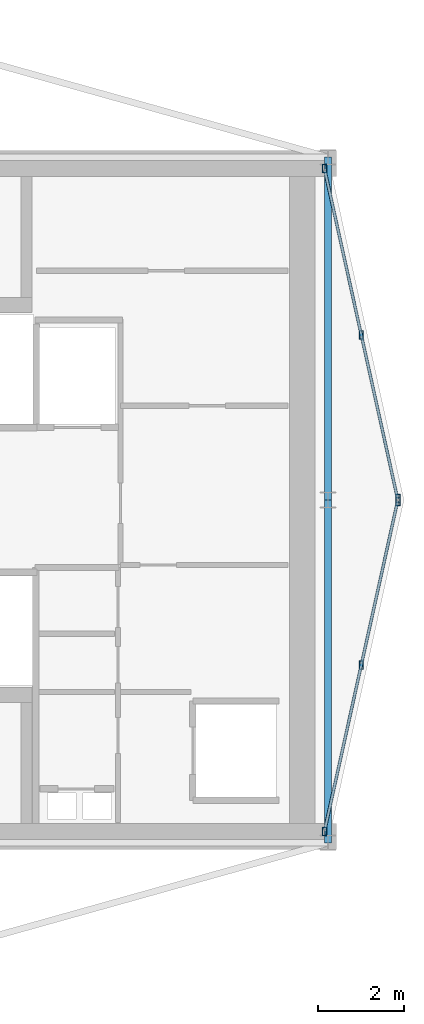
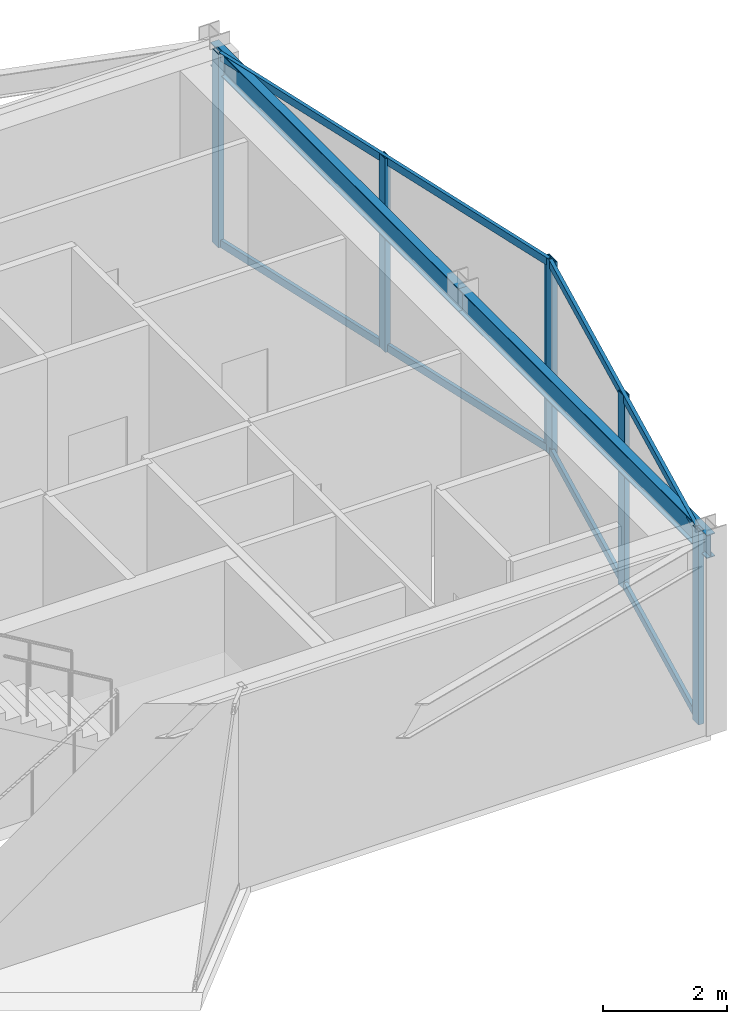
# One storey, part 7 of 13: 10 members, 2 beams, 2 elements without a shape of their own.
"""IFC4 building model written with IfcOpenShell, lengths in metres."""

from ifc_helpers import new_model, si_unit, direction, frame, origin, origin_2d, place, context, subcontext, project, spatial, hollow_rectangle, i_section, extrude, material, layer, layer_set, material_profile, profile_set, type_object, element, aggregate, save


model = new_model("IFC4")

# Units and contexts
model_context = context("Model", 3, precision=1e-05, world=origin(), true_north=direction((0.0, 1.0)))
body_context = subcontext(model_context, "Body", "Model", "MODEL_VIEW")
ifc_project = project(units=[si_unit("LENGTHUNIT", "METRE"), si_unit("AREAUNIT", "SQUARE_METRE"), si_unit("VOLUMEUNIT", "CUBIC_METRE"), si_unit("PLANEANGLEUNIT", "RADIAN"), si_unit("MASSUNIT", "GRAM", prefix="KILO")], contexts=[model_context])

# Site, building, storey
site_placement = place(None, origin())
site = spatial("IfcSite", under=ifc_project, at=site_placement, CompositionType="ELEMENT")
building_placement = place(site_placement, origin())
building = spatial("IfcBuilding", under=site, at=building_placement, Name="Veymaron Broadcast Tower", CompositionType="ELEMENT")
storey_placement = place(building_placement, frame((0.0, 0.0, 291.14990234375)))
storey = spatial("IfcBuildingStorey", under=building, at=storey_placement, Name="L68", CompositionType="ELEMENT", Elevation=291.14990234375)

# Beams
ifc_material_1 = material(Name="Structural steel ASTM A992 Gr 50", Category="steel")
ifc_material_profile_1 = material_profile(ifc_material_1, i_section(OverallWidth=0.154052734375, OverallDepth=0.458984375, WebThickness=0.009033203125, FlangeThickness=0.015380859375, at=origin_2d()), Name="W460X68")
ifc_profile_set_1 = profile_set([ifc_material_profile_1], Name="Structural steel ASTM A992 Gr 50")
beam_type = type_object("IfcBeamType", Name="BM-SP2", PredefinedType="SPANDREL", material=ifc_profile_set_1)
for number, where, z_axis, x_axis, name in (
    (1, (54.60009765625, 16.0, 3.58056640625), (0.0, 1.0, 0.0), (-1.0, 0.0, 0.0), "L68 primary structural floor girder"),
    (2, (54.60009765625, 24.0, 3.58056640625), (0.0, 1.0, 0.0), (-1.0, 0.0, 0.0), "L68 primary structural floor girder"),
):
    element("IfcBeam", number, at=place(storey_placement, frame(where, z_axis=z_axis, x_axis=x_axis)), inside=storey, type_object=beam_type, Name=name, PredefinedType="SPANDREL", context=body_context, shape_type="SweptSolid", body=[
        extrude(i_section(OverallWidth=0.154052734375, OverallDepth=0.458984375, WebThickness=0.009033203125, FlangeThickness=0.015380859375, at=origin_2d()), origin(), (0.0, 0.0, 1.0), 8.0),
    ])

# Curtain wall, members
ifc_material_2 = material(Name="Anodised aluminium AA 6063-T6 and laminated low-E dark glass", Category="aluminium")
ifc_layer = layer(ifc_material_2, 0.179931640625)
ifc_layer_set = layer_set([ifc_layer], Name="Anodised aluminium AA 6063-T6 and laminated low-E dark glass")
curtain_wall_type = type_object("IfcCurtainWallType", Name="CW-SYS-06", PredefinedType="NOTDEFINED", material=ifc_layer_set)
curtain_wall_1_placement = place(storey_placement, origin())
curtain_wall_1 = element("IfcCurtainWall", 3, at=curtain_wall_1_placement, inside=storey, type_object=curtain_wall_type, Name="L68 dark-glass curtain wall CW-L68-E2-1", PredefinedType="NOTDEFINED")
ifc_material_3 = material(Name="Anodised aluminium AA 6063-T6", Category="aluminium")
ifc_material_profile_2 = material_profile(ifc_material_3, hollow_rectangle(XDim=0.10009765625, YDim=0.199951171875, WallThickness=0.010009765625, at=origin_2d()), Name="RHS200X100X10")
ifc_profile_set_2 = profile_set([ifc_material_profile_2], Name="Anodised aluminium AA 6063-T6")
member_type_1 = type_object("IfcMemberType", Name="CW-MUL-01", PredefinedType="MULLION", material=ifc_profile_set_2)
member_1_placement = place(storey_placement, frame((54.514892578125, 16.2626953125, 0.0), z_axis=(0.0, 0.0, 1.0), x_axis=(1.0, 0.0, 0.0)))
member_1 = element("IfcMember", 4, at=member_1_placement, type_object=member_type_1, Name="CW-L68-E2-1 mullion 0", PredefinedType="MULLION", context=body_context, shape_type="SweptSolid", body=[
    extrude(hollow_rectangle(XDim=0.10009765625, YDim=0.199951171875, WallThickness=0.010009765625, at=origin_2d()), origin(), (0.0, 0.0, 1.0), 3.81005859375),
])
member_2_placement = place(storey_placement, frame((55.375244140625, 20.146484375, 0.0), z_axis=(0.0, 0.0, 1.0), x_axis=(1.0, 0.0, 0.0)))
member_2 = element("IfcMember", 5, at=member_2_placement, type_object=member_type_1, Name="CW-L68-E2-1 mullion 1", PredefinedType="MULLION", context=body_context, shape_type="SweptSolid", body=[
    extrude(hollow_rectangle(XDim=0.10009765625, YDim=0.199951171875, WallThickness=0.010009765625, at=origin_2d()), origin(), (0.0, 0.0, 1.0), 3.81005859375),
])
member_3_placement = place(storey_placement, frame((56.235595703125, 24.0302734375, 0.0), z_axis=(0.0, 0.0, 1.0), x_axis=(1.0, 0.0, 0.0)))
member_3 = element("IfcMember", 6, at=member_3_placement, type_object=member_type_1, Name="CW-L68-E2-1 mullion 2", PredefinedType="MULLION", context=body_context, shape_type="SweptSolid", body=[
    extrude(hollow_rectangle(XDim=0.10009765625, YDim=0.199951171875, WallThickness=0.010009765625, at=origin_2d()), origin(), (0.0, 0.0, 1.0), 3.81005859375),
])

curtain_wall_2_placement = place(storey_placement, origin())
curtain_wall_2 = element("IfcCurtainWall", 7, at=curtain_wall_2_placement, inside=storey, type_object=curtain_wall_type, Name="L68 dark-glass curtain wall CW-L68-E3-1", PredefinedType="NOTDEFINED")
member_4_placement = place(storey_placement, frame((56.235595703125, 23.9697265625, 0.0), z_axis=(0.0, 0.0, 1.0), x_axis=(1.0, 0.0, 0.0)))
member_4 = element("IfcMember", 8, at=member_4_placement, type_object=member_type_1, Name="CW-L68-E3-1 mullion 0", PredefinedType="MULLION", context=body_context, shape_type="SweptSolid", body=[
    extrude(hollow_rectangle(XDim=0.10009765625, YDim=0.199951171875, WallThickness=0.010009765625, at=origin_2d()), origin(), (0.0, 0.0, 1.0), 3.81005859375),
])
member_5_placement = place(storey_placement, frame((55.375244140625, 27.853515625, 0.0), z_axis=(0.0, 0.0, 1.0), x_axis=(1.0, 0.0, 0.0)))
member_5 = element("IfcMember", 9, at=member_5_placement, type_object=member_type_1, Name="CW-L68-E3-1 mullion 1", PredefinedType="MULLION", context=body_context, shape_type="SweptSolid", body=[
    extrude(hollow_rectangle(XDim=0.10009765625, YDim=0.199951171875, WallThickness=0.010009765625, at=origin_2d()), origin(), (0.0, 0.0, 1.0), 3.81005859375),
])
member_6_placement = place(storey_placement, frame((54.514892578125, 31.7373046875, 0.0), z_axis=(0.0, 0.0, 1.0), x_axis=(1.0, 0.0, 0.0)))
member_6 = element("IfcMember", 10, at=member_6_placement, type_object=member_type_1, Name="CW-L68-E3-1 mullion 2", PredefinedType="MULLION", context=body_context, shape_type="SweptSolid", body=[
    extrude(hollow_rectangle(XDim=0.10009765625, YDim=0.199951171875, WallThickness=0.010009765625, at=origin_2d()), origin(), (0.0, 0.0, 1.0), 3.81005859375),
])

# Member
ifc_material_profile_3 = material_profile(ifc_material_3, hollow_rectangle(XDim=0.06494140625, YDim=0.14990234375, WallThickness=0.00390625, at=origin_2d()), Name="AL150X65X4")
ifc_profile_set_3 = profile_set([ifc_material_profile_3], Name="Anodised aluminium AA 6063-T6")
member_type_2 = type_object("IfcMemberType", Name="CW-TRN-01", PredefinedType="USERDEFINED", material=ifc_profile_set_3)
member_7_placement = place(storey_placement, frame((54.525634765625, 16.311279296875, 0.070068359375), z_axis=(0.216292064675, 0.976328706307, 0.0), x_axis=(-0.976328706307, 0.216292064675, 0.0)))
member_7 = element("IfcMember", 11, at=member_7_placement, type_object=member_type_2, Name="CW-L68-E2-1 transom B", ObjectType="TRANSOM", PredefinedType="USERDEFINED", context=body_context, shape_type="SweptSolid", body=[
    extrude(hollow_rectangle(XDim=0.06494140625, YDim=0.14990234375, WallThickness=0.00390625, at=origin_2d()), origin(), (0.0, 0.0, 1.0), 7.856201171875),
])

member_8_placement = place(storey_placement, frame((54.525634765625, 16.311279296875, 3.739990234375), z_axis=(0.216292064675, 0.976328706307, 0.0), x_axis=(-0.976328706307, 0.216292064675, 0.0)))
member_8 = element("IfcMember", 12, at=member_8_placement, type_object=member_type_2, Name="CW-L68-E2-1 transom T", ObjectType="TRANSOM", PredefinedType="USERDEFINED", context=body_context, shape_type="SweptSolid", body=[
    extrude(hollow_rectangle(XDim=0.06494140625, YDim=0.14990234375, WallThickness=0.00390625, at=origin_2d()), origin(), (0.0, 0.0, 1.0), 7.856201171875),
])

aggregate(curtain_wall_1, [member_1, member_2, member_3, member_7, member_8])

member_9_placement = place(storey_placement, frame((56.224853515625, 24.0185546875, 0.070068359375), z_axis=(-0.216292064675, 0.976328706307, 0.0), x_axis=(-0.976328706307, -0.216292064675, 0.0)))
member_9 = element("IfcMember", 13, at=member_9_placement, type_object=member_type_2, Name="CW-L68-E3-1 transom B", ObjectType="TRANSOM", PredefinedType="USERDEFINED", context=body_context, shape_type="SweptSolid", body=[
    extrude(hollow_rectangle(XDim=0.06494140625, YDim=0.14990234375, WallThickness=0.00390625, at=origin_2d()), origin(), (0.0, 0.0, 1.0), 7.856201171875),
])

member_10_placement = place(storey_placement, frame((56.224853515625, 24.0185546875, 3.739990234375), z_axis=(-0.216292064675, 0.976328706307, 0.0), x_axis=(-0.976328706307, -0.216292064675, 0.0)))
member_10 = element("IfcMember", 14, at=member_10_placement, type_object=member_type_2, Name="CW-L68-E3-1 transom T", ObjectType="TRANSOM", PredefinedType="USERDEFINED", context=body_context, shape_type="SweptSolid", body=[
    extrude(hollow_rectangle(XDim=0.06494140625, YDim=0.14990234375, WallThickness=0.00390625, at=origin_2d()), origin(), (0.0, 0.0, 1.0), 7.856201171875),
])

aggregate(curtain_wall_2, [member_4, member_5, member_6, member_9, member_10])

save(model, "model.ifc")
